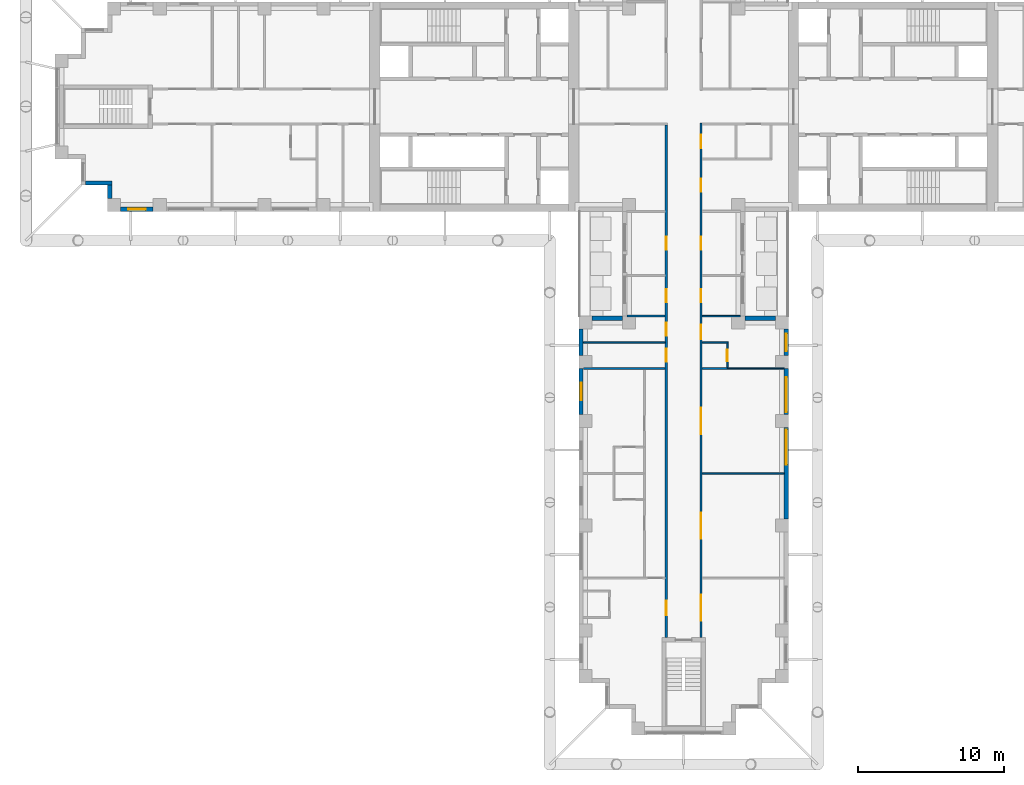
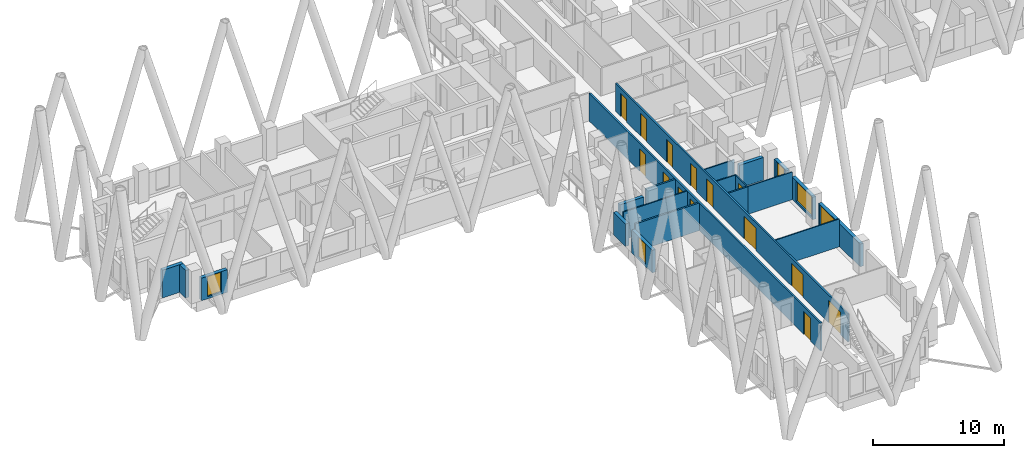
# One storey, part 4 of 14: 21 walls, 14 doors, 5 windows, 19 openings.
"""IFC4 building model written with IfcOpenShell, lengths in metres."""

from ifc_helpers import new_model, si_unit, direction, frame, frame_2d, origin, place, context, subcontext, project, spatial, rectangle, extrude, material, layer, layer_set, type_object, element, fill, save


model = new_model("IFC4")

# Units and contexts
model_context = context("Model", 3, precision=1e-05, world=origin(), true_north=direction((0.0, 1.0)))
body_context = subcontext(model_context, "Body", "Model", "MODEL_VIEW")
ifc_project = project(units=[si_unit("LENGTHUNIT", "METRE"), si_unit("AREAUNIT", "SQUARE_METRE"), si_unit("VOLUMEUNIT", "CUBIC_METRE"), si_unit("PLANEANGLEUNIT", "RADIAN"), si_unit("MASSUNIT", "GRAM", prefix="KILO")], contexts=[model_context])

# Site, building, storey
site_placement = place(None, origin())
site = spatial("IfcSite", under=ifc_project, at=site_placement, CompositionType="ELEMENT")
building_placement = place(site_placement, origin())
building = spatial("IfcBuilding", under=site, at=building_placement, Name="Fustian Cross Tower", CompositionType="ELEMENT")
storey_placement = place(building_placement, frame((0.0, 0.0, 78.89990234375)))
storey = spatial("IfcBuildingStorey", under=building, at=storey_placement, Name="L24", CompositionType="ELEMENT", Elevation=78.89990234375)

# Walls
ifc_material_1 = material(Name="Plasterboard on steel stud", Category="steel")
ifc_layer_1 = layer(ifc_material_1, 0.14990234375)
ifc_layer_set_1 = layer_set([ifc_layer_1], Name="Plasterboard on steel stud")
wall_type_1 = type_object("IfcWallType", Name="COMPARTMENT WALL 150 EI 60", PredefinedType="PARTITIONING", material=ifc_layer_set_1)
wall_1_placement = place(storey_placement, frame((-6.89990234375, -18.0, 0.0), z_axis=(0.0, 0.0, 1.0), x_axis=(1.0, 0.0, 0.0)))
element("IfcWall", 1, at=wall_1_placement, inside=storey, type_object=wall_type_1, Name="Partition 17", PredefinedType="PARTITIONING", context=body_context, shape_type="SweptSolid", body=[
    extrude(rectangle(XDim=5.625, YDim=0.14990234375, at=frame_2d((2.8125, 0.0))), origin(), (0.0, 0.0, 1.0), 2.5751953125),
])
wall_2_placement = place(storey_placement, frame((-3.89990234375, -14.39990234375, 0.0), z_axis=(0.0, 0.0, 1.0), x_axis=(1.0, 0.0, 0.0)))
element("IfcWall", 2, at=wall_2_placement, inside=storey, type_object=wall_type_1, Name="Partition 25", PredefinedType="PARTITIONING", context=body_context, shape_type="SweptSolid", body=[
    extrude(rectangle(XDim=2.625, YDim=0.14990234375, at=frame_2d((1.3125, 0.0))), origin(), (0.0, 0.0, 1.0), 2.5751953125),
])

# Wall, openings, doors
wall_3_placement = place(storey_placement, frame((-1.199951171875, -36.5, 0.0), z_axis=(0.0, 0.0, 1.0), x_axis=(0.0, 1.0, 0.0)))
wall_3 = element("IfcWall", 3, at=wall_3_placement, inside=storey, type_object=wall_type_1, Name="Partition 34", PredefinedType="PARTITIONING", context=body_context, shape_type="SweptSolid", body=[
    extrude(rectangle(XDim=35.22509765625, YDim=0.14990234375, at=frame_2d((17.612548828125, 0.0))), origin(), (0.0, 0.0, 1.0), 2.5751953125),
])
opening_1_placement = place(wall_3_placement, frame((23.050048828125, 0.0, 0.0)))
opening_1 = element("IfcOpeningElement", 4, at=opening_1_placement, cuts=wall_3, Name="Opening D12044", PredefinedType="OPENING", context=body_context, shape_type="SweptSolid", body=[
    extrude(rectangle(XDim=0.89990234375, YDim=2.10009765625, at=frame_2d((0.449951171875, 1.050048828125))), frame((0.0, 0.0849609375, 0.0), z_axis=(0.0, -1.0, 0.0), x_axis=(1.0, 0.0, 0.0)), (0.0, 0.0, 1.0), 0.169921875),
])
opening_2_placement = place(wall_3_placement, frame((26.64990234375, 0.0, 0.0)))
opening_2 = element("IfcOpeningElement", 5, at=opening_2_placement, cuts=wall_3, Name="Opening D12045", PredefinedType="OPENING", context=body_context, shape_type="SweptSolid", body=[
    extrude(rectangle(XDim=0.89990234375, YDim=2.10009765625, at=frame_2d((0.449951171875, 1.050048828125))), frame((0.0, 0.0849609375, 0.0), z_axis=(0.0, -1.0, 0.0), x_axis=(1.0, 0.0, 0.0)), (0.0, 0.0, 1.0), 0.169921875),
])
opening_3_placement = place(wall_3_placement, frame((20.75, 0.0, 0.0)))
opening_3 = element("IfcOpeningElement", 6, at=opening_3_placement, cuts=wall_3, Name="Opening D12046", PredefinedType="OPENING", context=body_context, shape_type="SweptSolid", body=[
    extrude(rectangle(XDim=0.89990234375, YDim=2.10009765625, at=frame_2d((0.449951171875, 1.050048828125))), frame((0.0, 0.0849609375, 0.0), z_axis=(0.0, -1.0, 0.0), x_axis=(1.0, 0.0, 0.0)), (0.0, 0.0, 1.0), 0.169921875),
])
opening_4_placement = place(wall_3_placement, frame((18.949951171875, 0.0, 0.0)))
opening_4 = element("IfcOpeningElement", 7, at=opening_4_placement, cuts=wall_3, Name="Opening D12047", PredefinedType="OPENING", context=body_context, shape_type="SweptSolid", body=[
    extrude(rectangle(XDim=0.89990234375, YDim=2.10009765625, at=frame_2d((0.449951171875, 1.050048828125))), frame((0.0, 0.0849609375, 0.0), z_axis=(0.0, -1.0, 0.0), x_axis=(1.0, 0.0, 0.0)), (0.0, 0.0, 1.0), 0.169921875),
])
opening_5_placement = place(wall_3_placement, frame((1.550048828125, 0.0, 0.0)))
opening_5 = element("IfcOpeningElement", 8, at=opening_5_placement, cuts=wall_3, Name="Opening D12049", PredefinedType="OPENING", context=body_context, shape_type="SweptSolid", body=[
    extrude(rectangle(XDim=1.0, YDim=2.10009765625, at=frame_2d((0.5, 1.050048828125))), frame((0.0, 0.0849609375, 0.0), z_axis=(0.0, -1.0, 0.0), x_axis=(1.0, 0.0, 0.0)), (0.0, 0.0, 1.0), 0.169921875),
])
ifc_material_2 = material(Name="Timber fire door set", Category="wood")
door_type_1 = type_object("IfcDoorType", Name="FIRE SWING DOOR 1000 FD30S", OperationType="SINGLE_SWING_LEFT", PredefinedType="DOOR", material=ifc_material_2)
door_1_placement = place(opening_5_placement, origin())
door_1 = element("IfcDoor", 9, at=door_1_placement, inside=storey, type_object=door_type_1, Name="Door D12049", OperationType="SINGLE_SWING_RIGHT", OverallHeight=2.10009765625, OverallWidth=1.0, PredefinedType="DOOR", context=body_context, shape_type="SweptSolid", body=[
    extrude(rectangle(XDim=1.0, YDim=2.10009765625, at=frame_2d((0.5, 1.050048828125))), frame((0.0, 0.02490234375, 0.0), z_axis=(0.0, -1.0, 0.0), x_axis=(1.0, 0.0, 0.0)), (0.0, 0.0, 1.0), 0.050048828125),
])
fill(opening_5, door_1)
ifc_material_3 = material(Name="Timber fire door set", Category="wood")
door_type_2 = type_object("IfcDoorType", Name="FIRE SWING DOOR 900 FD30S", OperationType="SINGLE_SWING_LEFT", PredefinedType="DOOR", material=ifc_material_3)
door_2_placement = place(opening_1_placement, origin())
door_2 = element("IfcDoor", 10, at=door_2_placement, inside=storey, type_object=door_type_2, Name="Door D12044", OperationType="SINGLE_SWING_LEFT", OverallHeight=2.10009765625, OverallWidth=0.89990234375, PredefinedType="DOOR", context=body_context, shape_type="SweptSolid", body=[
    extrude(rectangle(XDim=0.89990234375, YDim=2.10009765625, at=frame_2d((0.449951171875, 1.050048828125))), frame((0.0, 0.02490234375, 0.0), z_axis=(0.0, -1.0, 0.0), x_axis=(1.0, 0.0, 0.0)), (0.0, 0.0, 1.0), 0.050048828125),
])
fill(opening_1, door_2)
door_3_placement = place(opening_2_placement, origin())
door_3 = element("IfcDoor", 11, at=door_3_placement, inside=storey, type_object=door_type_2, Name="Door D12045", OperationType="SINGLE_SWING_LEFT", OverallHeight=2.10009765625, OverallWidth=0.89990234375, PredefinedType="DOOR", context=body_context, shape_type="SweptSolid", body=[
    extrude(rectangle(XDim=0.89990234375, YDim=2.10009765625, at=frame_2d((0.449951171875, 1.050048828125))), frame((0.0, 0.02490234375, 0.0), z_axis=(0.0, -1.0, 0.0), x_axis=(1.0, 0.0, 0.0)), (0.0, 0.0, 1.0), 0.050048828125),
])
fill(opening_2, door_3)
door_4_placement = place(opening_3_placement, origin())
door_4 = element("IfcDoor", 12, at=door_4_placement, inside=storey, type_object=door_type_2, Name="Door D12046", OperationType="SINGLE_SWING_RIGHT", OverallHeight=2.10009765625, OverallWidth=0.89990234375, PredefinedType="DOOR", context=body_context, shape_type="SweptSolid", body=[
    extrude(rectangle(XDim=0.89990234375, YDim=2.10009765625, at=frame_2d((0.449951171875, 1.050048828125))), frame((0.0, 0.02490234375, 0.0), z_axis=(0.0, -1.0, 0.0), x_axis=(1.0, 0.0, 0.0)), (0.0, 0.0, 1.0), 0.050048828125),
])
fill(opening_3, door_4)
door_5_placement = place(opening_4_placement, origin())
door_5 = element("IfcDoor", 13, at=door_5_placement, inside=storey, type_object=door_type_2, Name="Door D12047", OperationType="SINGLE_SWING_RIGHT", OverallHeight=2.10009765625, OverallWidth=0.89990234375, PredefinedType="DOOR", context=body_context, shape_type="SweptSolid", body=[
    extrude(rectangle(XDim=0.89990234375, YDim=2.10009765625, at=frame_2d((0.449951171875, 1.050048828125))), frame((0.0, 0.02490234375, 0.0), z_axis=(0.0, -1.0, 0.0), x_axis=(1.0, 0.0, 0.0)), (0.0, 0.0, 1.0), 0.050048828125),
])
fill(opening_4, door_5)

wall_4_placement = place(storey_placement, frame((1.199951171875, -36.5, 0.0), z_axis=(0.0, 0.0, 1.0), x_axis=(0.0, 1.0, 0.0)))
wall_4 = element("IfcWall", 14, at=wall_4_placement, inside=storey, type_object=wall_type_1, Name="Partition 36", PredefinedType="PARTITIONING", context=body_context, shape_type="SweptSolid", body=[
    extrude(rectangle(XDim=35.375, YDim=0.14990234375, at=frame_2d((17.6875, 0.0))), origin(), (0.0, 0.0, 1.0), 2.5751953125),
])
opening_6_placement = place(wall_4_placement, frame((33.64990234375, 0.0, 0.0)))
opening_6 = element("IfcOpeningElement", 15, at=opening_6_placement, cuts=wall_4, Name="Opening D12005", PredefinedType="OPENING", context=body_context, shape_type="SweptSolid", body=[
    extrude(rectangle(XDim=0.89990234375, YDim=2.10009765625, at=frame_2d((0.449951171875, 1.050048828125))), frame((0.0, 0.0849609375, 0.0), z_axis=(0.0, -1.0, 0.0), x_axis=(1.0, 0.0, 0.0)), (0.0, 0.0, 1.0), 0.169921875),
])
opening_7_placement = place(wall_4_placement, frame((30.64990234375, 0.0, 0.0)))
opening_7 = element("IfcOpeningElement", 16, at=opening_7_placement, cuts=wall_4, Name="Opening D12007", PredefinedType="OPENING", context=body_context, shape_type="SweptSolid", body=[
    extrude(rectangle(XDim=0.89990234375, YDim=2.10009765625, at=frame_2d((0.449951171875, 1.050048828125))), frame((0.0, 0.0849609375, 0.0), z_axis=(0.0, -1.0, 0.0), x_axis=(1.0, 0.0, 0.0)), (0.0, 0.0, 1.0), 0.169921875),
])
opening_8_placement = place(wall_4_placement, frame((23.050048828125, 0.0, 0.0)))
opening_8 = element("IfcOpeningElement", 17, at=opening_8_placement, cuts=wall_4, Name="Opening D12037", PredefinedType="OPENING", context=body_context, shape_type="SweptSolid", body=[
    extrude(rectangle(XDim=0.89990234375, YDim=2.10009765625, at=frame_2d((0.449951171875, 1.050048828125))), frame((0.0, 0.0849609375, 0.0), z_axis=(0.0, -1.0, 0.0), x_axis=(1.0, 0.0, 0.0)), (0.0, 0.0, 1.0), 0.169921875),
])
opening_9_placement = place(wall_4_placement, frame((26.64990234375, 0.0, 0.0)))
opening_9 = element("IfcOpeningElement", 18, at=opening_9_placement, cuts=wall_4, Name="Opening D12038", PredefinedType="OPENING", context=body_context, shape_type="SweptSolid", body=[
    extrude(rectangle(XDim=0.89990234375, YDim=2.10009765625, at=frame_2d((0.449951171875, 1.050048828125))), frame((0.0, 0.0849609375, 0.0), z_axis=(0.0, -1.0, 0.0), x_axis=(1.0, 0.0, 0.0)), (0.0, 0.0, 1.0), 0.169921875),
])
opening_10_placement = place(wall_4_placement, frame((20.5, 0.0, 0.0)))
opening_10 = element("IfcOpeningElement", 19, at=opening_10_placement, cuts=wall_4, Name="Opening D12040", PredefinedType="OPENING", context=body_context, shape_type="SweptSolid", body=[
    extrude(rectangle(XDim=1.0, YDim=2.10009765625, at=frame_2d((0.5, 1.050048828125))), frame((0.0, 0.0849609375, 0.0), z_axis=(0.0, -1.0, 0.0), x_axis=(1.0, 0.0, 0.0)), (0.0, 0.0, 1.0), 0.169921875),
])
opening_11_placement = place(wall_4_placement, frame((14.0, 0.0, 0.0)))
opening_11 = element("IfcOpeningElement", 20, at=opening_11_placement, cuts=wall_4, Name="Opening D12041", PredefinedType="OPENING", context=body_context, shape_type="SweptSolid", body=[
    extrude(rectangle(XDim=1.800048828125, YDim=2.10009765625, at=frame_2d((0.89990234375, 1.050048828125))), frame((0.0, 0.0849609375, 0.0), z_axis=(0.0, -1.0, 0.0), x_axis=(1.0, 0.0, 0.0)), (0.0, 0.0, 1.0), 0.169921875),
])
opening_12_placement = place(wall_4_placement, frame((6.800048828125, 0.0, 0.0)))
opening_12 = element("IfcOpeningElement", 21, at=opening_12_placement, cuts=wall_4, Name="Opening D12042", PredefinedType="OPENING", context=body_context, shape_type="SweptSolid", body=[
    extrude(rectangle(XDim=1.800048828125, YDim=2.10009765625, at=frame_2d((0.89990234375, 1.050048828125))), frame((0.0, 0.0849609375, 0.0), z_axis=(0.0, -1.0, 0.0), x_axis=(1.0, 0.0, 0.0)), (0.0, 0.0, 1.0), 0.169921875),
])
opening_13_placement = place(wall_4_placement, frame((1.14990234375, 0.0, 0.0)))
opening_13 = element("IfcOpeningElement", 22, at=opening_13_placement, cuts=wall_4, Name="Opening D12043", PredefinedType="OPENING", context=body_context, shape_type="SweptSolid", body=[
    extrude(rectangle(XDim=1.800048828125, YDim=2.10009765625, at=frame_2d((0.89990234375, 1.050048828125))), frame((0.0, 0.0849609375, 0.0), z_axis=(0.0, -1.0, 0.0), x_axis=(1.0, 0.0, 0.0)), (0.0, 0.0, 1.0), 0.169921875),
])
ifc_material_4 = material(Name="Timber fire door set", Category="wood")
door_type_3 = type_object("IfcDoorType", Name="FIRE DOUBLE DOOR 1800 FD30S", OperationType="DOUBLE_DOOR_DOUBLE_SWING", PredefinedType="DOOR", material=ifc_material_4)
door_6_placement = place(opening_11_placement, origin())
door_6 = element("IfcDoor", 23, at=door_6_placement, inside=storey, type_object=door_type_3, Name="Door D12041", OperationType="DOUBLE_DOOR_DOUBLE_SWING", OverallHeight=2.10009765625, OverallWidth=1.800048828125, PredefinedType="DOOR", context=body_context, shape_type="SweptSolid", body=[
    extrude(rectangle(XDim=1.800048828125, YDim=2.10009765625, at=frame_2d((0.89990234375, 1.050048828125))), frame((0.0, 0.02490234375, 0.0), z_axis=(0.0, -1.0, 0.0), x_axis=(1.0, 0.0, 0.0)), (0.0, 0.0, 1.0), 0.050048828125),
])
fill(opening_11, door_6)
door_7_placement = place(opening_12_placement, origin())
door_7 = element("IfcDoor", 24, at=door_7_placement, inside=storey, type_object=door_type_3, Name="Door D12042", OperationType="DOUBLE_DOOR_DOUBLE_SWING", OverallHeight=2.10009765625, OverallWidth=1.800048828125, PredefinedType="DOOR", context=body_context, shape_type="SweptSolid", body=[
    extrude(rectangle(XDim=1.800048828125, YDim=2.10009765625, at=frame_2d((0.89990234375, 1.050048828125))), frame((0.0, 0.02490234375, 0.0), z_axis=(0.0, -1.0, 0.0), x_axis=(1.0, 0.0, 0.0)), (0.0, 0.0, 1.0), 0.050048828125),
])
fill(opening_12, door_7)
door_8_placement = place(opening_13_placement, origin())
door_8 = element("IfcDoor", 25, at=door_8_placement, inside=storey, type_object=door_type_3, Name="Door D12043", OperationType="DOUBLE_DOOR_DOUBLE_SWING", OverallHeight=2.10009765625, OverallWidth=1.800048828125, PredefinedType="DOOR", context=body_context, shape_type="SweptSolid", body=[
    extrude(rectangle(XDim=1.800048828125, YDim=2.10009765625, at=frame_2d((0.89990234375, 1.050048828125))), frame((0.0, 0.02490234375, 0.0), z_axis=(0.0, -1.0, 0.0), x_axis=(1.0, 0.0, 0.0)), (0.0, 0.0, 1.0), 0.050048828125),
])
fill(opening_13, door_8)
door_9_placement = place(opening_10_placement, frame((1.0, 0.0, 0.0), z_axis=(0.0, 0.0, 1.0), x_axis=(-1.0, 0.0, 0.0)))
door_9 = element("IfcDoor", 26, at=door_9_placement, inside=storey, type_object=door_type_1, Name="Door D12040", OperationType="SINGLE_SWING_RIGHT", OverallHeight=2.10009765625, OverallWidth=1.0, PredefinedType="DOOR", context=body_context, shape_type="SweptSolid", body=[
    extrude(rectangle(XDim=1.0, YDim=2.10009765625, at=frame_2d((0.5, 1.050048828125))), frame((0.0, 0.02490234375, 0.0), z_axis=(0.0, -1.0, 0.0), x_axis=(1.0, 0.0, 0.0)), (0.0, 0.0, 1.0), 0.050048828125),
])
fill(opening_10, door_9)
door_10_placement = place(opening_6_placement, frame((0.89990234375, 0.0, 0.0), z_axis=(0.0, 0.0, 1.0), x_axis=(-1.0, 0.0, 0.0)))
door_10 = element("IfcDoor", 27, at=door_10_placement, inside=storey, type_object=door_type_2, Name="Door D12005", OperationType="SINGLE_SWING_RIGHT", OverallHeight=2.10009765625, OverallWidth=0.89990234375, PredefinedType="DOOR", context=body_context, shape_type="SweptSolid", body=[
    extrude(rectangle(XDim=0.89990234375, YDim=2.10009765625, at=frame_2d((0.449951171875, 1.050048828125))), frame((0.0, 0.02490234375, 0.0), z_axis=(0.0, -1.0, 0.0), x_axis=(1.0, 0.0, 0.0)), (0.0, 0.0, 1.0), 0.050048828125),
])
fill(opening_6, door_10)
door_11_placement = place(opening_7_placement, frame((0.89990234375, 0.0, 0.0), z_axis=(0.0, 0.0, 1.0), x_axis=(-1.0, 0.0, 0.0)))
door_11 = element("IfcDoor", 28, at=door_11_placement, inside=storey, type_object=door_type_2, Name="Door D12007", OperationType="SINGLE_SWING_RIGHT", OverallHeight=2.10009765625, OverallWidth=0.89990234375, PredefinedType="DOOR", context=body_context, shape_type="SweptSolid", body=[
    extrude(rectangle(XDim=0.89990234375, YDim=2.10009765625, at=frame_2d((0.449951171875, 1.050048828125))), frame((0.0, 0.02490234375, 0.0), z_axis=(0.0, -1.0, 0.0), x_axis=(1.0, 0.0, 0.0)), (0.0, 0.0, 1.0), 0.050048828125),
])
fill(opening_7, door_11)
door_12_placement = place(opening_8_placement, frame((0.89990234375, 0.0, 0.0), z_axis=(0.0, 0.0, 1.0), x_axis=(-1.0, 0.0, 0.0)))
door_12 = element("IfcDoor", 29, at=door_12_placement, inside=storey, type_object=door_type_2, Name="Door D12037", OperationType="SINGLE_SWING_RIGHT", OverallHeight=2.10009765625, OverallWidth=0.89990234375, PredefinedType="DOOR", context=body_context, shape_type="SweptSolid", body=[
    extrude(rectangle(XDim=0.89990234375, YDim=2.10009765625, at=frame_2d((0.449951171875, 1.050048828125))), frame((0.0, 0.02490234375, 0.0), z_axis=(0.0, -1.0, 0.0), x_axis=(1.0, 0.0, 0.0)), (0.0, 0.0, 1.0), 0.050048828125),
])
fill(opening_8, door_12)
door_13_placement = place(opening_9_placement, frame((0.89990234375, 0.0, 0.0), z_axis=(0.0, 0.0, 1.0), x_axis=(-1.0, 0.0, 0.0)))
door_13 = element("IfcDoor", 30, at=door_13_placement, inside=storey, type_object=door_type_2, Name="Door D12038", OperationType="SINGLE_SWING_RIGHT", OverallHeight=2.10009765625, OverallWidth=0.89990234375, PredefinedType="DOOR", context=body_context, shape_type="SweptSolid", body=[
    extrude(rectangle(XDim=0.89990234375, YDim=2.10009765625, at=frame_2d((0.449951171875, 1.050048828125))), frame((0.0, 0.02490234375, 0.0), z_axis=(0.0, -1.0, 0.0), x_axis=(1.0, 0.0, 0.0)), (0.0, 0.0, 1.0), 0.050048828125),
])
fill(opening_9, door_13)

# Walls
ifc_material_5 = material(Name="Plasterboard on steel stud", Category="steel")
ifc_layer_2 = layer(ifc_material_5, 0.10009765625)
ifc_layer_set_2 = layer_set([ifc_layer_2], Name="Plasterboard on steel stud")
wall_type_2 = type_object("IfcWallType", Name="PARTITION 100 STUD", PredefinedType="PARTITIONING", material=ifc_layer_set_2)
for number, where, z_axis, x_axis, name in (
    (31, (-6.89990234375, -16.199951171875, 0.0), (0.0, 0.0, 1.0), (1.0, 0.0, 0.0), "Partition 18"),
    (32, (1.27490234375, -25.199951171875, 0.0), (0.0, 0.0, 1.0), (1.0, 0.0, 0.0), "Partition 38"),
):
    element("IfcWall", number, at=place(storey_placement, frame(where, z_axis=z_axis, x_axis=x_axis)), inside=storey, type_object=wall_type_2, Name=name, PredefinedType="PARTITIONING", context=body_context, shape_type="SweptSolid", body=[
        extrude(rectangle(XDim=5.625, YDim=0.10009765625, at=frame_2d((2.8125, 0.0))), origin(), (0.0, 0.0, 1.0), 2.5751953125),
    ])
wall_5_placement = place(storey_placement, frame((1.27490234375, -16.199951171875, 0.0), z_axis=(0.0, 0.0, 1.0), x_axis=(1.0, 0.0, 0.0)))
element("IfcWall", 33, at=wall_5_placement, inside=storey, type_object=wall_type_2, Name="Partition 40", PredefinedType="PARTITIONING", context=body_context, shape_type="SweptSolid", body=[
    extrude(rectangle(XDim=1.775146484375, YDim=0.10009765625, at=frame_2d((0.8876953125, 0.0))), origin(), (0.0, 0.0, 1.0), 2.5751953125),
])
wall_6_placement = place(storey_placement, frame((1.27490234375, -14.39990234375, 0.0), z_axis=(0.0, 0.0, 1.0), x_axis=(1.0, 0.0, 0.0)))
element("IfcWall", 34, at=wall_6_placement, inside=storey, type_object=wall_type_2, Name="Partition 41", PredefinedType="PARTITIONING", context=body_context, shape_type="SweptSolid", body=[
    extrude(rectangle(XDim=2.625, YDim=0.10009765625, at=frame_2d((1.3125, 0.0))), origin(), (0.0, 0.0, 1.0), 2.5751953125),
])

# Wall, opening, door
wall_7_placement = place(storey_placement, frame((3.0, -17.9375, 0.0), z_axis=(0.0, 0.0, 1.0), x_axis=(0.0, 1.0, 0.0)))
wall_7 = element("IfcWall", 35, at=wall_7_placement, inside=storey, type_object=wall_type_2, Name="Partition 50", PredefinedType="PARTITIONING", context=body_context, shape_type="SweptSolid", body=[
    extrude(rectangle(XDim=1.6875, YDim=0.10009765625, at=frame_2d((0.84375, 0.0))), origin(), (0.0, 0.0, 1.0), 2.5751953125),
])
opening_14_placement = place(wall_7_placement, frame((0.4375, 0.0, 0.0)))
opening_14 = element("IfcOpeningElement", 36, at=opening_14_placement, cuts=wall_7, Name="Opening D12039", PredefinedType="OPENING", context=body_context, shape_type="SweptSolid", body=[
    extrude(rectangle(XDim=0.800048828125, YDim=2.10009765625, at=frame_2d((0.39990234375, 1.050048828125))), frame((0.0, 0.06005859375, 0.0), z_axis=(0.0, -1.0, 0.0), x_axis=(1.0, 0.0, 0.0)), (0.0, 0.0, 1.0), 0.1201171875),
])
ifc_material_6 = material(Name="Painted timber", Category="wood")
door_type_4 = type_object("IfcDoorType", Name="SWING DOOR 800", OperationType="SINGLE_SWING_LEFT", PredefinedType="DOOR", material=ifc_material_6)
door_14_placement = place(opening_14_placement, origin())
door_14 = element("IfcDoor", 37, at=door_14_placement, inside=storey, type_object=door_type_4, Name="Door D12039", OperationType="SINGLE_SWING_RIGHT", OverallHeight=2.10009765625, OverallWidth=0.800048828125, PredefinedType="DOOR", context=body_context, shape_type="SweptSolid", body=[
    extrude(rectangle(XDim=0.800048828125, YDim=2.10009765625, at=frame_2d((0.39990234375, 1.050048828125))), frame((0.0, 0.02490234375, 0.0), z_axis=(0.0, -1.0, 0.0), x_axis=(1.0, 0.0, 0.0)), (0.0, 0.0, 1.0), 0.050048828125),
])
fill(opening_14, door_14)

# Walls
wall_8_placement = place(storey_placement, frame((3.0, -18.0, 0.0), z_axis=(0.0, 0.0, 1.0), x_axis=(1.0, 0.0, 0.0)))
element("IfcWall", 38, at=wall_8_placement, inside=storey, type_object=wall_type_2, Name="Partition 51", PredefinedType="PARTITIONING", context=body_context, shape_type="SweptSolid", body=[
    extrude(rectangle(XDim=3.89990234375, YDim=0.10009765625, at=frame_2d((1.949951171875, 0.0))), origin(), (0.0, 0.0, 1.0), 2.5751953125),
])
ifc_material_7 = material(Name="Plasterboard on steel stud", Category="steel")
ifc_layer_3 = layer(ifc_material_7, 0.125)
ifc_layer_set_3 = layer_set([ifc_layer_3], Name="Plasterboard on steel stud")
wall_type_3 = type_object("IfcWallType", Name="WET WALL 125 STUD", PredefinedType="PARTITIONING", material=ifc_layer_set_3)
wall_9_placement = place(storey_placement, frame((1.27490234375, -18.0, 0.0), z_axis=(0.0, 0.0, 1.0), x_axis=(1.0, 0.0, 0.0)))
element("IfcWall", 39, at=wall_9_placement, inside=storey, type_object=wall_type_3, Name="Partition 39", PredefinedType="PARTITIONING", context=body_context, shape_type="SweptSolid", body=[
    extrude(rectangle(XDim=1.72509765625, YDim=0.125, at=frame_2d((0.862548828125, 0.0))), origin(), (0.0, 0.0, 1.0), 2.5751953125),
])
ifc_material_8 = material(Name="Dark aluminium cladding on insulated backing wall", Category="aluminium")
ifc_layer_4 = layer(ifc_material_8, 0.300048828125)
ifc_layer_set_4 = layer_set([ifc_layer_4], Name="Dark aluminium cladding on insulated backing wall")
wall_type_4 = type_object("IfcWallType", Name="XW1 EXTERNAL WALL 300", PredefinedType="SOLIDWALL", material=ifc_layer_set_4)
wall_10_placement = place(storey_placement, frame((-41.10009765625, -5.25, 0.0), z_axis=(0.0, 0.0, 1.0), x_axis=(1.0, 0.0, 0.0)))
element("IfcWall", 40, at=wall_10_placement, inside=storey, type_object=wall_type_4, Name="External wall", PredefinedType="SOLIDWALL", context=body_context, shape_type="SweptSolid", body=[
    extrude(rectangle(XDim=1.800048828125, YDim=0.300048828125, at=frame_2d((0.89990234375, 0.0))), origin(), (0.0, 0.0, 1.0), 2.5751953125),
])
wall_11_placement = place(storey_placement, frame((-39.449951171875, -5.39990234375, 0.0), z_axis=(0.0, 0.0, 1.0), x_axis=(0.0, -1.0, 0.0)))
element("IfcWall", 41, at=wall_11_placement, inside=storey, type_object=wall_type_4, Name="External wall", PredefinedType="SOLIDWALL", context=body_context, shape_type="SweptSolid", body=[
    extrude(rectangle(XDim=0.900146484375, YDim=0.300048828125, at=frame_2d((0.4501953125, 0.0))), origin(), (0.0, 0.0, 1.0), 2.5751953125),
])

# Wall, opening, window
wall_12_placement = place(storey_placement, frame((-38.699951171875, -7.050048828125, 0.0), z_axis=(0.0, 0.0, 1.0), x_axis=(1.0, 0.0, 0.0)))
wall_12 = element("IfcWall", 42, at=wall_12_placement, inside=storey, type_object=wall_type_4, Name="External wall", PredefinedType="SOLIDWALL", context=body_context, shape_type="SweptSolid", body=[
    extrude(rectangle(XDim=2.25, YDim=0.300048828125, at=frame_2d((1.125, 0.0))), origin(), (0.0, 0.0, 1.0), 2.10009765625),
])
opening_15_placement = place(wall_12_placement, frame((0.52490234375, 0.0, 0.199951171875)))
opening_15 = element("IfcOpeningElement", 43, at=opening_15_placement, cuts=wall_12, Name="Opening WN3", PredefinedType="OPENING", context=body_context, shape_type="SweptSolid", body=[
    extrude(rectangle(XDim=1.199951171875, YDim=1.85009765625, at=frame_2d((0.60009765625, 0.925048828125))), frame((0.0, 0.159912109375, 0.0), z_axis=(0.0, -1.0, 0.0), x_axis=(1.0, 0.0, 0.0)), (0.0, 0.0, 1.0), 0.320068359375),
])
ifc_material_9 = material(Name="Dark anodised aluminium and double glazing", Category="aluminium")
window_type_1 = type_object("IfcWindowType", Name="WN3 WINDOW 1200X1850", PartitioningType="SINGLE_PANEL", PredefinedType="WINDOW", material=ifc_material_9)
window_1_placement = place(opening_15_placement, origin())
window_1 = element("IfcWindow", 44, at=window_1_placement, inside=storey, type_object=window_type_1, Name="Window", OverallHeight=1.85009765625, OverallWidth=1.199951171875, PartitioningType="SINGLE_PANEL", PredefinedType="WINDOW", context=body_context, shape_type="SweptSolid", body=[
    extrude(rectangle(XDim=1.199951171875, YDim=1.85009765625, at=frame_2d((0.60009765625, 0.925048828125))), frame((0.0, 0.030029296875, 0.0), z_axis=(0.0, -1.0, 0.0), x_axis=(1.0, 0.0, 0.0)), (0.0, 0.0, 1.0), 0.06005859375),
])
fill(opening_15, window_1)

# Walls
wall_13_placement = place(storey_placement, frame((-4.199951171875, -14.550048828125, 0.0), z_axis=(0.0, 0.0, 1.0), x_axis=(-1.0, 0.0, 0.0)))
element("IfcWall", 45, at=wall_13_placement, inside=storey, type_object=wall_type_4, Name="External wall", PredefinedType="SOLIDWALL", context=body_context, shape_type="SweptSolid", body=[
    extrude(rectangle(XDim=2.10009765625, YDim=0.300048828125, at=frame_2d((1.050048828125, 0.0))), origin(), (0.0, 0.0, 1.0), 2.10009765625),
])
wall_14_placement = place(storey_placement, frame((-7.050048828125, -15.300048828125, 0.0), z_axis=(0.0, 0.0, 1.0), x_axis=(0.0, -1.0, 0.0)))
element("IfcWall", 46, at=wall_14_placement, inside=storey, type_object=wall_type_4, Name="External wall", PredefinedType="SOLIDWALL", context=body_context, shape_type="SweptSolid", body=[
    extrude(rectangle(XDim=1.800048828125, YDim=0.300048828125, at=frame_2d((0.89990234375, 0.0))), origin(), (0.0, 0.0, 1.0), 2.10009765625),
])

# Wall, opening, window
wall_15_placement = place(storey_placement, frame((-7.050048828125, -18.0, 0.0), z_axis=(0.0, 0.0, 1.0), x_axis=(0.0, -1.0, 0.0)))
wall_15 = element("IfcWall", 47, at=wall_15_placement, inside=storey, type_object=wall_type_4, Name="External wall", PredefinedType="SOLIDWALL", context=body_context, shape_type="SweptSolid", body=[
    extrude(rectangle(XDim=3.14990234375, YDim=0.300048828125, at=frame_2d((1.574951171875, 0.0))), origin(), (0.0, 0.0, 1.0), 2.10009765625),
])
opening_16_placement = place(wall_15_placement, frame((0.97509765625, 0.0, 0.199951171875)))
opening_16 = element("IfcOpeningElement", 48, at=opening_16_placement, cuts=wall_15, Name="Opening WN3", PredefinedType="OPENING", context=body_context, shape_type="SweptSolid", body=[
    extrude(rectangle(XDim=1.199951171875, YDim=1.85009765625, at=frame_2d((0.60009765625, 0.925048828125))), frame((0.0, 0.159912109375, 0.0), z_axis=(0.0, -1.0, 0.0), x_axis=(1.0, 0.0, 0.0)), (0.0, 0.0, 1.0), 0.320068359375),
])
window_2_placement = place(opening_16_placement, origin())
window_2 = element("IfcWindow", 49, at=window_2_placement, inside=storey, type_object=window_type_1, Name="Window", OverallHeight=1.85009765625, OverallWidth=1.199951171875, PartitioningType="SINGLE_PANEL", PredefinedType="WINDOW", context=body_context, shape_type="SweptSolid", body=[
    extrude(rectangle(XDim=1.199951171875, YDim=1.85009765625, at=frame_2d((0.60009765625, 0.925048828125))), frame((0.0, 0.030029296875, 0.0), z_axis=(0.0, -1.0, 0.0), x_axis=(1.0, 0.0, 0.0)), (0.0, 0.0, 1.0), 0.06005859375),
])
fill(opening_16, window_2)

wall_16_placement = place(storey_placement, frame((7.050048828125, -28.35009765625, 0.0), z_axis=(0.0, 0.0, 1.0), x_axis=(0.0, 1.0, 0.0)))
wall_16 = element("IfcWall", 50, at=wall_16_placement, inside=storey, type_object=wall_type_4, Name="External wall", PredefinedType="SOLIDWALL", context=body_context, shape_type="SweptSolid", body=[
    extrude(rectangle(XDim=6.300048828125, YDim=0.300048828125, at=frame_2d((3.14990234375, 0.0))), origin(), (0.0, 0.0, 1.0), 2.10009765625),
])
opening_17_placement = place(wall_16_placement, frame((3.75, 0.0, 0.199951171875)))
opening_17 = element("IfcOpeningElement", 51, at=opening_17_placement, cuts=wall_16, Name="Opening WN1", PredefinedType="OPENING", context=body_context, shape_type="SweptSolid", body=[
    extrude(rectangle(XDim=2.39990234375, YDim=1.85009765625, at=frame_2d((1.199951171875, 0.925048828125))), frame((0.0, 0.159912109375, 0.0), z_axis=(0.0, -1.0, 0.0), x_axis=(1.0, 0.0, 0.0)), (0.0, 0.0, 1.0), 0.320068359375),
])
ifc_material_10 = material(Name="Dark anodised aluminium and double glazing", Category="aluminium")
window_type_2 = type_object("IfcWindowType", Name="WN1 WINDOW 2400X1850", PartitioningType="SINGLE_PANEL", PredefinedType="WINDOW", material=ifc_material_10)
window_3_placement = place(opening_17_placement, origin())
window_3 = element("IfcWindow", 52, at=window_3_placement, inside=storey, type_object=window_type_2, Name="Window", OverallHeight=1.85009765625, OverallWidth=2.39990234375, PartitioningType="SINGLE_PANEL", PredefinedType="WINDOW", context=body_context, shape_type="SweptSolid", body=[
    extrude(rectangle(XDim=2.39990234375, YDim=1.85009765625, at=frame_2d((1.199951171875, 0.925048828125))), frame((0.0, 0.030029296875, 0.0), z_axis=(0.0, -1.0, 0.0), x_axis=(1.0, 0.0, 0.0)), (0.0, 0.0, 1.0), 0.06005859375),
])
fill(opening_17, window_3)

wall_17_placement = place(storey_placement, frame((7.050048828125, -21.14990234375, 0.0), z_axis=(0.0, 0.0, 1.0), x_axis=(0.0, 1.0, 0.0)))
wall_17 = element("IfcWall", 53, at=wall_17_placement, inside=storey, type_object=wall_type_4, Name="External wall", PredefinedType="SOLIDWALL", context=body_context, shape_type="SweptSolid", body=[
    extrude(rectangle(XDim=3.14990234375, YDim=0.300048828125, at=frame_2d((1.574951171875, 0.0))), origin(), (0.0, 0.0, 1.0), 2.10009765625),
])
opening_18_placement = place(wall_17_placement, frame((0.14990234375, 0.0, 0.199951171875)))
opening_18 = element("IfcOpeningElement", 54, at=opening_18_placement, cuts=wall_17, Name="Opening WN1", PredefinedType="OPENING", context=body_context, shape_type="SweptSolid", body=[
    extrude(rectangle(XDim=2.39990234375, YDim=1.85009765625, at=frame_2d((1.199951171875, 0.925048828125))), frame((0.0, 0.159912109375, 0.0), z_axis=(0.0, -1.0, 0.0), x_axis=(1.0, 0.0, 0.0)), (0.0, 0.0, 1.0), 0.320068359375),
])
window_4_placement = place(opening_18_placement, origin())
window_4 = element("IfcWindow", 55, at=window_4_placement, inside=storey, type_object=window_type_2, Name="Window", OverallHeight=1.85009765625, OverallWidth=2.39990234375, PartitioningType="SINGLE_PANEL", PredefinedType="WINDOW", context=body_context, shape_type="SweptSolid", body=[
    extrude(rectangle(XDim=2.39990234375, YDim=1.85009765625, at=frame_2d((1.199951171875, 0.925048828125))), frame((0.0, 0.030029296875, 0.0), z_axis=(0.0, -1.0, 0.0), x_axis=(1.0, 0.0, 0.0)), (0.0, 0.0, 1.0), 0.06005859375),
])
fill(opening_18, window_4)

wall_18_placement = place(storey_placement, frame((7.050048828125, -17.10009765625, 0.0), z_axis=(0.0, 0.0, 1.0), x_axis=(0.0, 1.0, 0.0)))
wall_18 = element("IfcWall", 56, at=wall_18_placement, inside=storey, type_object=wall_type_4, Name="External wall", PredefinedType="SOLIDWALL", context=body_context, shape_type="SweptSolid", body=[
    extrude(rectangle(XDim=1.800048828125, YDim=0.300048828125, at=frame_2d((0.89990234375, 0.0))), origin(), (0.0, 0.0, 1.0), 2.10009765625),
])
opening_19_placement = place(wall_18_placement, frame((0.300048828125, 0.0, 0.199951171875)))
opening_19 = element("IfcOpeningElement", 57, at=opening_19_placement, cuts=wall_18, Name="Opening WN3", PredefinedType="OPENING", context=body_context, shape_type="SweptSolid", body=[
    extrude(rectangle(XDim=1.199951171875, YDim=1.85009765625, at=frame_2d((0.60009765625, 0.925048828125))), frame((0.0, 0.159912109375, 0.0), z_axis=(0.0, -1.0, 0.0), x_axis=(1.0, 0.0, 0.0)), (0.0, 0.0, 1.0), 0.320068359375),
])
window_5_placement = place(opening_19_placement, origin())
window_5 = element("IfcWindow", 58, at=window_5_placement, inside=storey, type_object=window_type_1, Name="Window", OverallHeight=1.85009765625, OverallWidth=1.199951171875, PartitioningType="SINGLE_PANEL", PredefinedType="WINDOW", context=body_context, shape_type="SweptSolid", body=[
    extrude(rectangle(XDim=1.199951171875, YDim=1.85009765625, at=frame_2d((0.60009765625, 0.925048828125))), frame((0.0, 0.030029296875, 0.0), z_axis=(0.0, -1.0, 0.0), x_axis=(1.0, 0.0, 0.0)), (0.0, 0.0, 1.0), 0.06005859375),
])
fill(opening_19, window_5)

# Wall
wall_19_placement = place(storey_placement, frame((6.300048828125, -14.550048828125, 0.0), z_axis=(0.0, 0.0, 1.0), x_axis=(-1.0, 0.0, 0.0)))
element("IfcWall", 59, at=wall_19_placement, inside=storey, type_object=wall_type_4, Name="External wall", PredefinedType="SOLIDWALL", context=body_context, shape_type="SweptSolid", body=[
    extrude(rectangle(XDim=2.10009765625, YDim=0.300048828125, at=frame_2d((1.050048828125, 0.0))), origin(), (0.0, 0.0, 1.0), 2.10009765625),
])

save(model, "model.ifc")
